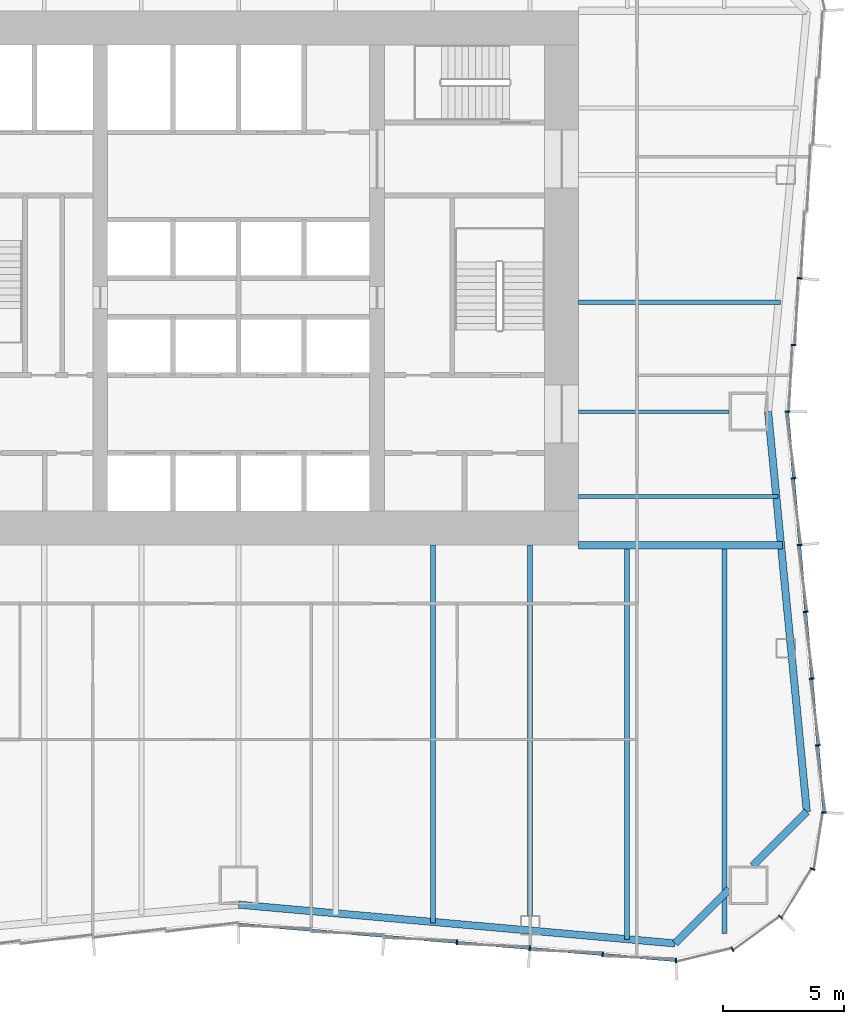
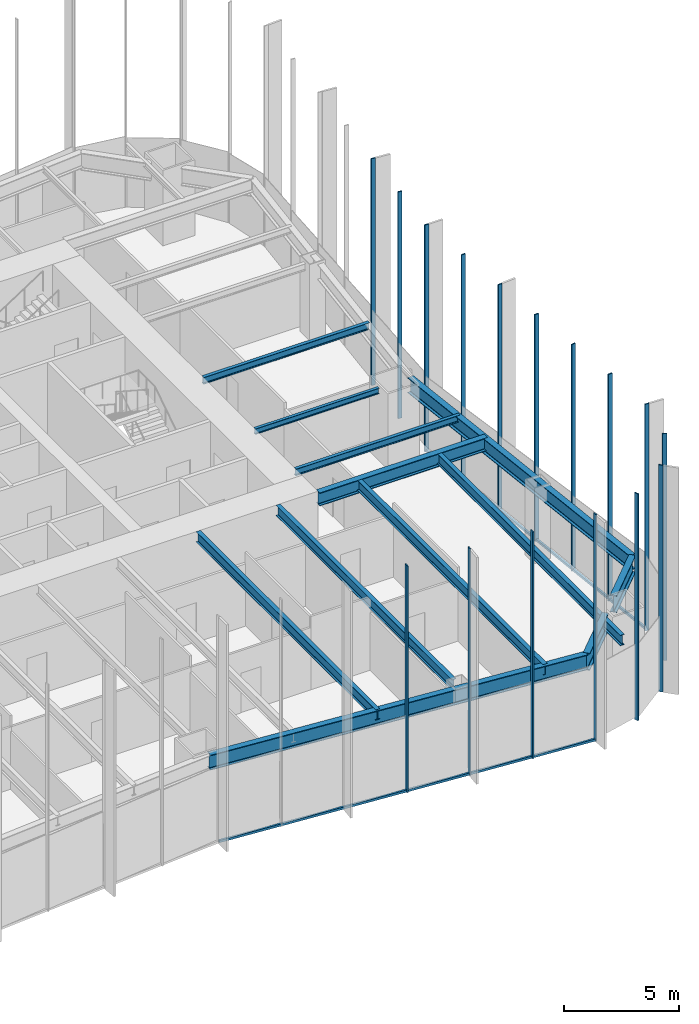
# One storey, part 4 of 13: 18 members, 12 beams, 3 elements without a shape of their own.
"""IFC4 building model written with IfcOpenShell, lengths in metres."""

from ifc_helpers import new_model, si_unit, direction, frame, origin, origin_2d, place, context, subcontext, project, spatial, rectangle, i_section, extrude, material, material_profile, profile_set, type_object, element, aggregate, save


model = new_model("IFC4")

# Units and contexts
model_context = context("Model", 3, precision=1e-05, world=origin(), true_north=direction((0.0, 1.0)))
body_context = subcontext(model_context, "Body", "Model", "MODEL_VIEW")
ifc_project = project(units=[si_unit("LENGTHUNIT", "METRE"), si_unit("AREAUNIT", "SQUARE_METRE"), si_unit("VOLUMEUNIT", "CUBIC_METRE"), si_unit("PLANEANGLEUNIT", "RADIAN"), si_unit("MASSUNIT", "GRAM", prefix="KILO")], contexts=[model_context])

# Site, building, storey
site_placement = place(None, origin())
site = spatial("IfcSite", under=ifc_project, at=site_placement, CompositionType="ELEMENT")
building_placement = place(site_placement, origin())
building = spatial("IfcBuilding", under=site, at=building_placement, Name="Verdant Reach Tower", CompositionType="ELEMENT")
storey_placement = place(building_placement, frame((0.0, 0.0, 38.0)))
storey = spatial("IfcBuildingStorey", under=building, at=storey_placement, Name="L08", CompositionType="ELEMENT", Elevation=38.0)

# Curtain wall, members
ifc_material_1 = material(Name="Anodised aluminium", Category="aluminium")
curtain_wall_type = type_object("IfcCurtainWallType", Name="EN-CW SYSTEM Z0", PredefinedType="NOTDEFINED", material=ifc_material_1)
curtain_wall_1_placement = place(storey_placement, origin())
curtain_wall_1 = element("IfcCurtainWall", 1, at=curtain_wall_1_placement, inside=storey, type_object=curtain_wall_type, Name="Curtain wall south-east corner, L08", PredefinedType="NOTDEFINED")
ifc_material_profile_1 = material_profile(ifc_material_1, rectangle(XDim=0.199951171875, YDim=0.06005859375, at=origin_2d()), Name="Mullion 60x200")
ifc_profile_set_1 = profile_set([ifc_material_profile_1], Name="Anodised aluminium")
member_type_1 = type_object("IfcMemberType", Name="EN-MULLION Z0", PredefinedType="MULLION", material=ifc_profile_set_1)
member_1_placement = place(storey_placement, frame((18.005615234375, -0.099853515625, -0.35009765625), z_axis=(0.0, 0.0, 1.0), x_axis=(0.056569187765, -0.998398681387, 0.0)))
member_1 = element("IfcMember", 2, at=member_1_placement, type_object=member_type_1, Name="Mullion south-east corner 1, L08", PredefinedType="MULLION", context=body_context, shape_type="SweptSolid", body=[
    extrude(rectangle(XDim=0.199951171875, YDim=0.06005859375, at=origin_2d()), origin(), (0.0, 0.0, 1.0), 12.0),
])
member_2_placement = place(storey_placement, frame((20.33447265625, 0.3642578125, -0.35009765625), z_axis=(0.0, 0.0, 1.0), x_axis=(0.382693853776, -0.923875215753, 0.0)))
member_2 = element("IfcMember", 3, at=member_2_placement, type_object=member_type_1, Name="Mullion south-east corner 2, L08", PredefinedType="MULLION", context=body_context, shape_type="SweptSolid", body=[
    extrude(rectangle(XDim=0.199951171875, YDim=0.06005859375, at=origin_2d()), origin(), (0.0, 0.0, 1.0), 12.0),
])
member_3_placement = place(storey_placement, frame((22.313232421875, 1.686767578125, -0.35009765625), z_axis=(0.0, 0.0, 1.0), x_axis=(0.707106781187, -0.707106781187, 0.0)))
member_3 = element("IfcMember", 4, at=member_3_placement, type_object=member_type_1, Name="Mullion south-east corner 3, L08", PredefinedType="MULLION", context=body_context, shape_type="SweptSolid", body=[
    extrude(rectangle(XDim=0.199951171875, YDim=0.06005859375, at=origin_2d()), origin(), (0.0, 0.0, 1.0), 12.0),
])
member_4_placement = place(storey_placement, frame((23.6357421875, 3.66552734375, -0.35009765625), z_axis=(0.0, 0.0, 1.0), x_axis=(0.923875215753, -0.382693853776, 0.0)))
member_4 = element("IfcMember", 5, at=member_4_placement, type_object=member_type_1, Name="Mullion south-east corner 4, L08", PredefinedType="MULLION", context=body_context, shape_type="SweptSolid", body=[
    extrude(rectangle(XDim=0.199951171875, YDim=0.06005859375, at=origin_2d()), origin(), (0.0, 0.0, 1.0), 12.0),
])
aggregate(curtain_wall_1, [member_1, member_2, member_3, member_4])

curtain_wall_2_placement = place(storey_placement, origin())
curtain_wall_2 = element("IfcCurtainWall", 6, at=curtain_wall_2_placement, inside=storey, type_object=curtain_wall_type, Name="Curtain wall east, L08", PredefinedType="NOTDEFINED")
member_5_placement = place(storey_placement, frame((24.099853515625, 5.99462890625, -0.35009765625), z_axis=(0.0, 0.0, 1.0), x_axis=(0.998604288049, -0.052815489107, 0.0)))
member_5 = element("IfcMember", 7, at=member_5_placement, type_object=member_type_1, Name="Mullion east face part 1 1, L08", PredefinedType="MULLION", context=body_context, shape_type="SweptSolid", body=[
    extrude(rectangle(XDim=0.199951171875, YDim=0.06005859375, at=origin_2d()), origin(), (0.0, 0.0, 1.0), 12.0),
])
member_6_placement = place(storey_placement, frame((23.849609375, 8.759033203125, -0.35009765625), z_axis=(0.0, 0.0, 1.0), x_axis=(0.995893206467, 0.090535746047, 0.0)))
member_6 = element("IfcMember", 8, at=member_6_placement, type_object=member_type_1, Name="Mullion east face part 1 2, L08", PredefinedType="MULLION", context=body_context, shape_type="SweptSolid", body=[
    extrude(rectangle(XDim=0.199951171875, YDim=0.06005859375, at=origin_2d()), origin(), (0.0, 0.0, 1.0), 12.0),
])
member_7_placement = place(storey_placement, frame((23.599609375, 11.509033203125, -0.35009765625), z_axis=(0.0, 0.0, 1.0), x_axis=(0.995893206467, 0.090535746047, 0.0)))
member_7 = element("IfcMember", 9, at=member_7_placement, type_object=member_type_1, Name="Mullion east face part 1 3, L08", PredefinedType="MULLION", context=body_context, shape_type="SweptSolid", body=[
    extrude(rectangle(XDim=0.199951171875, YDim=0.06005859375, at=origin_2d()), origin(), (0.0, 0.0, 1.0), 12.0),
])
member_8_placement = place(storey_placement, frame((23.349609375, 14.259033203125, -0.35009765625), z_axis=(0.0, 0.0, 1.0), x_axis=(0.995893206467, 0.090535746047, 0.0)))
member_8 = element("IfcMember", 10, at=member_8_placement, type_object=member_type_1, Name="Mullion east face part 1 4, L08", PredefinedType="MULLION", context=body_context, shape_type="SweptSolid", body=[
    extrude(rectangle(XDim=0.199951171875, YDim=0.06005859375, at=origin_2d()), origin(), (0.0, 0.0, 1.0), 12.0),
])
member_9_placement = place(storey_placement, frame((23.099609375, 17.009033203125, -0.35009765625), z_axis=(0.0, 0.0, 1.0), x_axis=(0.995893206467, 0.090535746047, 0.0)))
member_9 = element("IfcMember", 11, at=member_9_placement, type_object=member_type_1, Name="Mullion east face part 1 5, L08", PredefinedType="MULLION", context=body_context, shape_type="SweptSolid", body=[
    extrude(rectangle(XDim=0.199951171875, YDim=0.06005859375, at=origin_2d()), origin(), (0.0, 0.0, 1.0), 12.0),
])
member_10_placement = place(storey_placement, frame((22.849609375, 19.759033203125, -0.35009765625), z_axis=(0.0, 0.0, 1.0), x_axis=(0.995893206467, 0.090535746047, 0.0)))
member_10 = element("IfcMember", 12, at=member_10_placement, type_object=member_type_1, Name="Mullion east face part 1 6, L08", PredefinedType="MULLION", context=body_context, shape_type="SweptSolid", body=[
    extrude(rectangle(XDim=0.199951171875, YDim=0.06005859375, at=origin_2d()), origin(), (0.0, 0.0, 1.0), 12.0),
])
member_11_placement = place(storey_placement, frame((22.60009765625, 22.5, -0.35009765625), z_axis=(0.0, 0.0, 1.0), x_axis=(1.0, 0.0, 0.0)))
member_11 = element("IfcMember", 13, at=member_11_placement, type_object=member_type_1, Name="Mullion east face part 2 1, L08", PredefinedType="MULLION", context=body_context, shape_type="SweptSolid", body=[
    extrude(rectangle(XDim=0.199951171875, YDim=0.06005859375, at=origin_2d()), origin(), (0.0, 0.0, 1.0), 12.0),
])
member_12_placement = place(storey_placement, frame((22.849609375, 25.240966796875, -0.35009765625), z_axis=(0.0, 0.0, 1.0), x_axis=(0.995893206467, -0.090535746047, 0.0)))
member_12 = element("IfcMember", 14, at=member_12_placement, type_object=member_type_1, Name="Mullion east face part 2 2, L08", PredefinedType="MULLION", context=body_context, shape_type="SweptSolid", body=[
    extrude(rectangle(XDim=0.199951171875, YDim=0.06005859375, at=origin_2d()), origin(), (0.0, 0.0, 1.0), 12.0),
])
member_13_placement = place(storey_placement, frame((23.099609375, 27.990966796875, -0.35009765625), z_axis=(0.0, 0.0, 1.0), x_axis=(0.995893206467, -0.090535746047, 0.0)))
member_13 = element("IfcMember", 15, at=member_13_placement, type_object=member_type_1, Name="Mullion east face part 2 3, L08", PredefinedType="MULLION", context=body_context, shape_type="SweptSolid", body=[
    extrude(rectangle(XDim=0.199951171875, YDim=0.06005859375, at=origin_2d()), origin(), (0.0, 0.0, 1.0), 12.0),
])

curtain_wall_3_placement = place(storey_placement, origin())
curtain_wall_3 = element("IfcCurtainWall", 16, at=curtain_wall_3_placement, inside=storey, type_object=curtain_wall_type, Name="Curtain wall south, L08", PredefinedType="NOTDEFINED")
member_14_placement = place(storey_placement, frame((8.99169921875, 0.650390625, -0.35009765625), z_axis=(0.0, 0.0, 1.0), x_axis=(-0.083045479859, -0.996545758244, 0.0)))
member_14 = element("IfcMember", 17, at=member_14_placement, type_object=member_type_1, Name="Mullion south face part 2 4, L08", PredefinedType="MULLION", context=body_context, shape_type="SweptSolid", body=[
    extrude(rectangle(XDim=0.199951171875, YDim=0.06005859375, at=origin_2d()), origin(), (0.0, 0.0, 1.0), 12.0),
])
member_15_placement = place(storey_placement, frame((11.99169921875, 0.400390625, -0.35009765625), z_axis=(0.0, 0.0, 1.0), x_axis=(-0.083045479859, -0.996545758244, 0.0)))
member_15 = element("IfcMember", 18, at=member_15_placement, type_object=member_type_1, Name="Mullion south face part 2 5, L08", PredefinedType="MULLION", context=body_context, shape_type="SweptSolid", body=[
    extrude(rectangle(XDim=0.199951171875, YDim=0.06005859375, at=origin_2d()), origin(), (0.0, 0.0, 1.0), 12.0),
])
member_16_placement = place(storey_placement, frame((14.99169921875, 0.150390625, -0.35009765625), z_axis=(0.0, 0.0, 1.0), x_axis=(-0.083045479859, -0.996545758244, 0.0)))
member_16 = element("IfcMember", 19, at=member_16_placement, type_object=member_type_1, Name="Mullion south face part 2 6, L08", PredefinedType="MULLION", context=body_context, shape_type="SweptSolid", body=[
    extrude(rectangle(XDim=0.199951171875, YDim=0.06005859375, at=origin_2d()), origin(), (0.0, 0.0, 1.0), 12.0),
])

# Member
ifc_material_profile_2 = material_profile(ifc_material_1, rectangle(XDim=0.10009765625, YDim=0.1201171875, at=origin_2d()), Name="Transom 120x100")
ifc_profile_set_2 = profile_set([ifc_material_profile_2], Name="Anodised aluminium")
member_type_2 = type_object("IfcMemberType", Name="EN-TRANSOM Z0", PredefinedType="USERDEFINED", material=ifc_profile_set_2)
member_17_placement = place(storey_placement, frame((24.09716796875, 6.024658203125, -0.2900390625), z_axis=(-0.090495755184, 0.995896841191, 0.0), x_axis=(-0.995896841191, -0.090495755184, 0.0)))
member_17 = element("IfcMember", 20, at=member_17_placement, type_object=member_type_2, Name="Transom east face part 1 1.1, L08", ObjectType="TRANSOM", PredefinedType="USERDEFINED", context=body_context, shape_type="SweptSolid", body=[
    extrude(rectangle(XDim=0.10009765625, YDim=0.1201171875, at=origin_2d()), origin(), (0.0, 0.0, 1.0), 16.513427734375),
])

aggregate(curtain_wall_2, [member_5, member_6, member_7, member_8, member_9, member_10, member_17, member_11, member_12, member_13])

member_18_placement = place(storey_placement, frame((0.02978515625, 1.3974609375, -0.2900390625), z_axis=(0.996548656072, -0.083010698588, 0.0), x_axis=(0.083010698588, 0.996548656072, 0.0)))
member_18 = element("IfcMember", 21, at=member_18_placement, type_object=member_type_2, Name="Transom south face part 2 1.1, L08", ObjectType="TRANSOM", PredefinedType="USERDEFINED", context=body_context, shape_type="SweptSolid", body=[
    extrude(rectangle(XDim=0.10009765625, YDim=0.1201171875, at=origin_2d()), origin(), (0.0, 0.0, 1.0), 18.00830078125),
])

aggregate(curtain_wall_3, [member_14, member_15, member_16, member_18])

# Beams
ifc_material_2 = material(Name="Steel S355", Category="steel")
ifc_material_profile_3 = material_profile(ifc_material_2, i_section(OverallWidth=0.300048828125, OverallDepth=0.699951171875, WebThickness=0.01708984375, FlangeThickness=0.031982421875, FilletRadius=0.027099609375, at=origin_2d()), Name="HEB 700")
ifc_profile_set_3 = profile_set([ifc_material_profile_3], Name="Steel S355")
beam_type_1 = type_object("IfcBeamType", Name="ST-BEAM-HEB700", PredefinedType="BEAM", material=ifc_profile_set_3)
beam_1_placement = place(storey_placement, frame((14.0, 17.0, 3.52001953125), z_axis=(1.0, 0.0, 0.0), x_axis=(0.0, 1.0, 0.0)))
element("IfcBeam", 22, at=beam_1_placement, inside=storey, type_object=beam_type_1, Name="Trimmer beam, L08", PredefinedType="BEAM", context=body_context, shape_type="SweptSolid", body=[
    extrude(i_section(OverallWidth=0.300048828125, OverallDepth=0.699951171875, WebThickness=0.01708984375, FlangeThickness=0.031982421875, FilletRadius=0.027099609375, at=origin_2d()), origin(), (0.0, 0.0, 1.0), 8.3974609375),
])
ifc_material_profile_4 = material_profile(ifc_material_2, i_section(OverallWidth=0.14990234375, OverallDepth=0.300048828125, WebThickness=0.007080078125, FlangeThickness=0.0107421875, FilletRadius=0.014892578125, at=origin_2d()), Name="IPE 300")
ifc_profile_set_4 = profile_set([ifc_material_profile_4], Name="Steel S355")
beam_type_2 = type_object("IfcBeamType", Name="ST-JOIST-IPE300", PredefinedType="JOIST", material=ifc_profile_set_4)
beam_2_placement = place(storey_placement, frame((14.0, 22.5, 3.719970703125), z_axis=(1.0, 0.0, 0.0), x_axis=(0.0, 1.0, 0.0)))
element("IfcBeam", 23, at=beam_2_placement, inside=storey, type_object=beam_type_2, Name="Floor joist, L08", PredefinedType="JOIST", context=body_context, shape_type="SweptSolid", body=[
    extrude(i_section(OverallWidth=0.14990234375, OverallDepth=0.300048828125, WebThickness=0.007080078125, FlangeThickness=0.0107421875, FilletRadius=0.014892578125, at=origin_2d()), origin(), (0.0, 0.0, 1.0), 6.199951171875),
])
ifc_material_profile_5 = material_profile(ifc_material_2, i_section(OverallWidth=0.169921875, OverallDepth=0.360107421875, WebThickness=0.008056640625, FlangeThickness=0.0126953125, FilletRadius=0.01806640625, at=origin_2d()), Name="IPE 360")
ifc_profile_set_5 = profile_set([ifc_material_profile_5], Name="Steel S355")
beam_type_3 = type_object("IfcBeamType", Name="ST-JOIST-IPE360", PredefinedType="JOIST", material=ifc_profile_set_5)
beam_3_placement = place(storey_placement, frame((14.0, 19.0, 3.68994140625), z_axis=(1.0, 0.0, 0.0), x_axis=(0.0, 1.0, 0.0)))
element("IfcBeam", 24, at=beam_3_placement, inside=storey, type_object=beam_type_3, Name="Floor joist, L08", PredefinedType="JOIST", context=body_context, shape_type="SweptSolid", body=[
    extrude(i_section(OverallWidth=0.169921875, OverallDepth=0.360107421875, WebThickness=0.008056640625, FlangeThickness=0.0126953125, FilletRadius=0.01806640625, at=origin_2d()), origin(), (0.0, 0.0, 1.0), 8.2158203125),
])
beam_4_placement = place(storey_placement, frame((14.0, 27.0, 3.68994140625), z_axis=(1.0, 0.0, 0.0), x_axis=(0.0, 1.0, 0.0)))
element("IfcBeam", 25, at=beam_4_placement, inside=storey, type_object=beam_type_3, Name="Floor joist, L08", PredefinedType="JOIST", context=body_context, shape_type="SweptSolid", body=[
    extrude(i_section(OverallWidth=0.169921875, OverallDepth=0.360107421875, WebThickness=0.008056640625, FlangeThickness=0.0126953125, FilletRadius=0.01806640625, at=origin_2d()), origin(), (0.0, 0.0, 1.0), 8.306640625),
])
ifc_material_profile_6 = material_profile(ifc_material_2, i_section(OverallWidth=0.2099609375, OverallDepth=0.550048828125, WebThickness=0.010986328125, FlangeThickness=0.01708984375, FilletRadius=0.02392578125, at=origin_2d()), Name="IPE 550")
ifc_profile_set_6 = profile_set([ifc_material_profile_6], Name="Steel S355")
beam_type_4 = type_object("IfcBeamType", Name="ST-JOIST-IPE550", PredefinedType="JOIST", material=ifc_profile_set_6)
beam_5_placement = place(storey_placement, frame((8.0, 17.0, 3.594970703125), z_axis=(0.0, -1.0, 0.0), x_axis=(1.0, 0.0, 0.0)))
element("IfcBeam", 26, at=beam_5_placement, inside=storey, type_object=beam_type_4, Name="Floor joist, L08", PredefinedType="JOIST", context=body_context, shape_type="SweptSolid", body=[
    extrude(i_section(OverallWidth=0.2099609375, OverallDepth=0.550048828125, WebThickness=0.010986328125, FlangeThickness=0.01708984375, FilletRadius=0.02392578125, at=origin_2d()), origin(), (0.0, 0.0, 1.0), 15.564697265625),
])
beam_6_placement = place(storey_placement, frame((12.0, 17.0, 3.594970703125), z_axis=(0.0, -1.0, 0.0), x_axis=(1.0, 0.0, 0.0)))
element("IfcBeam", 27, at=beam_6_placement, inside=storey, type_object=beam_type_4, Name="Floor joist, L08", PredefinedType="JOIST", context=body_context, shape_type="SweptSolid", body=[
    extrude(i_section(OverallWidth=0.2099609375, OverallDepth=0.550048828125, WebThickness=0.010986328125, FlangeThickness=0.01708984375, FilletRadius=0.02392578125, at=origin_2d()), origin(), (0.0, 0.0, 1.0), 15.25),
])
beam_7_placement = place(storey_placement, frame((16.0, 16.89990234375, 3.594970703125), z_axis=(0.0, -1.0, 0.0), x_axis=(1.0, 0.0, 0.0)))
element("IfcBeam", 28, at=beam_7_placement, inside=storey, type_object=beam_type_4, Name="Floor joist, L08", PredefinedType="JOIST", context=body_context, shape_type="SweptSolid", body=[
    extrude(i_section(OverallWidth=0.2099609375, OverallDepth=0.550048828125, WebThickness=0.010986328125, FlangeThickness=0.01708984375, FilletRadius=0.02392578125, at=origin_2d()), origin(), (0.0, 0.0, 1.0), 16.131103515625),
])
beam_8_placement = place(storey_placement, frame((20.0, 16.89990234375, 3.594970703125), z_axis=(0.0, -1.0, 0.0), x_axis=(1.0, 0.0, 0.0)))
element("IfcBeam", 29, at=beam_8_placement, inside=storey, type_object=beam_type_4, Name="Floor joist, L08", PredefinedType="JOIST", context=body_context, shape_type="SweptSolid", body=[
    extrude(i_section(OverallWidth=0.2099609375, OverallDepth=0.550048828125, WebThickness=0.010986328125, FlangeThickness=0.01708984375, FilletRadius=0.02392578125, at=origin_2d()), origin(), (0.0, 0.0, 1.0), 15.890380859375),
])
ifc_material_profile_7 = material_profile(ifc_material_2, i_section(OverallWidth=0.300048828125, OverallDepth=0.800048828125, WebThickness=0.017578125, FlangeThickness=0.032958984375, FilletRadius=0.030029296875, at=origin_2d()), Name="HEB 800")
ifc_profile_set_7 = profile_set([ifc_material_profile_7], Name="Steel S355")
beam_type_5 = type_object("IfcBeamType", Name="ST-SPANDREL-HEB800", PredefinedType="SPANDREL", material=ifc_profile_set_7)
beam_9_placement = place(storey_placement, frame((17.9658203125, 0.60498046875, 3.469970703125), z_axis=(-0.996082370463, 0.088430262084, 0.0), x_axis=(-0.088430262084, -0.996082370463, 0.0)))
element("IfcBeam", 30, at=beam_9_placement, inside=storey, type_object=beam_type_5, Name="Edge beam, L08", PredefinedType="SPANDREL", context=body_context, shape_type="SweptSolid", body=[
    extrude(i_section(OverallWidth=0.300048828125, OverallDepth=0.800048828125, WebThickness=0.017578125, FlangeThickness=0.032958984375, FilletRadius=0.030029296875, at=origin_2d()), origin(), (0.0, 0.0, 1.0), 18.036376953125),
])
beam_10_placement = place(storey_placement, frame((21.800048828125, 22.5, 3.469970703125), z_axis=(0.096372296695, -0.995345357366, 0.0), x_axis=(0.995345357366, 0.096372296695, 0.0)))
element("IfcBeam", 31, at=beam_10_placement, inside=storey, type_object=beam_type_5, Name="Edge beam, L08", PredefinedType="SPANDREL", context=body_context, shape_type="SweptSolid", body=[
    extrude(i_section(OverallWidth=0.300048828125, OverallDepth=0.800048828125, WebThickness=0.017578125, FlangeThickness=0.032958984375, FilletRadius=0.030029296875, at=origin_2d()), origin(), (0.0, 0.0, 1.0), 16.544921875),
])
ifc_material_profile_8 = material_profile(ifc_material_2, i_section(OverallWidth=0.302001953125, OverallDepth=0.909912109375, WebThickness=0.02099609375, FlangeThickness=0.0400390625, FilletRadius=0.030029296875, at=origin_2d()), Name="HEM 900")
ifc_profile_set_8 = profile_set([ifc_material_profile_8], Name="Steel S355")
beam_type_6 = type_object("IfcBeamType", Name="ST-SPANDREL-HEM900", PredefinedType="SPANDREL", material=ifc_profile_set_8)
beam_11_placement = place(storey_placement, frame((23.39453125, 6.031982421875, 3.4150390625), z_axis=(-0.70722277322, -0.706990770123, 0.0), x_axis=(0.706990770123, -0.70722277322, 0.0)))
element("IfcBeam", 32, at=beam_11_placement, inside=storey, type_object=beam_type_6, Name="Edge beam, L08", PredefinedType="SPANDREL", context=body_context, shape_type="SweptSolid", body=[
    extrude(i_section(OverallWidth=0.302001953125, OverallDepth=0.909912109375, WebThickness=0.02099609375, FlangeThickness=0.0400390625, FilletRadius=0.030029296875, at=origin_2d()), origin(), (0.0, 0.0, 1.0), 3.156982421875),
])
beam_12_placement = place(storey_placement, frame((20.199951171875, 2.83837890625, 3.4150390625), z_axis=(-0.707222697162, -0.706990846206, 0.0), x_axis=(0.706990846206, -0.707222697162, 0.0)))
element("IfcBeam", 33, at=beam_12_placement, inside=storey, type_object=beam_type_6, Name="Edge beam, L08", PredefinedType="SPANDREL", context=body_context, shape_type="SweptSolid", body=[
    extrude(i_section(OverallWidth=0.302001953125, OverallDepth=0.909912109375, WebThickness=0.02099609375, FlangeThickness=0.0400390625, FilletRadius=0.030029296875, at=origin_2d()), origin(), (0.0, 0.0, 1.0), 3.158935546875),
])

save(model, "model.ifc")
